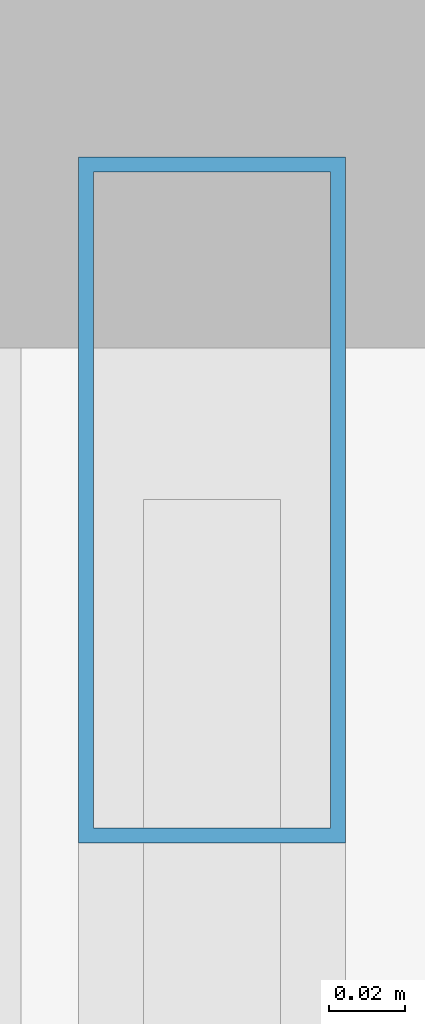
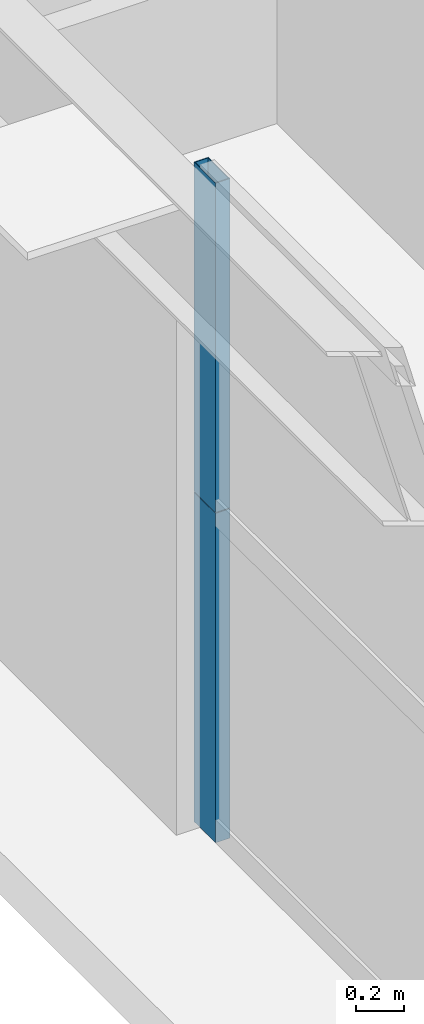
# One storey, part 25 of 45: 2 members, 1 element without a shape of its own.
"""IFC4 building model written with IfcOpenShell, lengths in metres."""

from ifc_helpers import new_model, si_unit, direction, frame, origin, origin_2d, place, context, subcontext, project, spatial, hollow_rectangle, extrude, source, transform, mapped, material, layer, layer_set, material_profile, profile_set, type_object, element, aggregate, save


model = new_model("IFC4")

# Units and contexts
model_context = context("Model", 3, precision=1e-05, world=origin(), true_north=direction((0.0, 1.0)))
body_context = subcontext(model_context, "Body", "Model", "MODEL_VIEW")
ifc_project = project(units=[si_unit("LENGTHUNIT", "METRE"), si_unit("AREAUNIT", "SQUARE_METRE"), si_unit("VOLUMEUNIT", "CUBIC_METRE"), si_unit("PLANEANGLEUNIT", "RADIAN"), si_unit("MASSUNIT", "GRAM", prefix="KILO"), si_unit("THERMODYNAMICTEMPERATUREUNIT", "KELVIN"), si_unit("POWERUNIT", "WATT")], contexts=[model_context])

# Site, building, storey
site_placement = place(None, origin())
site = spatial("IfcSite", under=ifc_project, at=site_placement, CompositionType="ELEMENT")
building_placement = place(site_placement, origin())
building = spatial("IfcBuilding", under=site, at=building_placement, Name="Yuzanri Waterfront Tower", CompositionType="ELEMENT")
storey_placement = place(building_placement, frame((0.0, 0.0, 34.199951171875)))
storey = spatial("IfcBuildingStorey", under=building, at=storey_placement, Name="L08", CompositionType="ELEMENT", Elevation=34.199951171875)

# Curtain wall, members
ifc_material_1 = material(Name="Anodized Architectural Bronze", Category="metal")
ifc_layer = layer(ifc_material_1, 0.159912109375)
ifc_layer_set = layer_set([ifc_layer], Name="Anodized Architectural Bronze")
curtain_wall_type = type_object("IfcCurtainWallType", Name="Anodized Bronze Hotel Lower-Tier Recessed Unitized Curtain Wall 8100", PredefinedType="NOTDEFINED", material=ifc_layer_set)
curtain_wall_placement = place(storey_placement, origin())
curtain_wall = element("IfcCurtainWall", 1, at=curtain_wall_placement, inside=storey, type_object=curtain_wall_type, Name="L08 Curtain Wall CW-L08-WR", PredefinedType="NOTDEFINED")
ifc_material_2 = material(Name="Anodized Architectural Bronze", Category="metal")
ifc_material_profile = material_profile(ifc_material_2, hollow_rectangle(XDim=0.070068359375, YDim=0.179931640625, WallThickness=0.00390625, at=origin_2d()), Name="CWM 70x180")
ifc_profile_set = profile_set([ifc_material_profile], Name="Anodized Architectural Bronze")
member_type = type_object("IfcMemberType", Name="Anodized Bronze Standard Curtain-Wall Mullion 70x180", PredefinedType="MULLION", material=ifc_profile_set)
shared_shape = source(origin(), body_context, "Body", "SweptSolid", [
    extrude(hollow_rectangle(XDim=0.070068359375, YDim=0.179931640625, WallThickness=0.00390625, at=origin_2d()), origin(), (0.0, 0.0, 1.0), 1.68798828125),
])
member_1_placement = place(storey_placement, frame((12.050048828125, 43.510009765625, 0.0), z_axis=(0.0, 0.0, 1.0), x_axis=(1.0, 0.0, 0.0)))
member_1 = element("IfcMember", 2, at=member_1_placement, type_object=member_type, Name="CW-L08-WR Lower Mullion 02", PredefinedType="MULLION", context=body_context, shape_type="MappedRepresentation", body=[
    mapped(shared_shape, transform((0.0, 0.0, 0.0), scale=1.0)),
])
member_2_placement = place(storey_placement, frame((12.050048828125, 43.510009765625, 1.692138671875), z_axis=(0.0, 0.0, 1.0), x_axis=(1.0, 0.0, 0.0)))
member_2 = element("IfcMember", 3, at=member_2_placement, type_object=member_type, Name="CW-L08-WR Upper Mullion 02", PredefinedType="MULLION", context=body_context, shape_type="MappedRepresentation", body=[
    mapped(shared_shape, transform((0.0, 0.0, 0.0), scale=1.0)),
])
aggregate(curtain_wall, [member_1, member_2])

save(model, "model.ifc")
